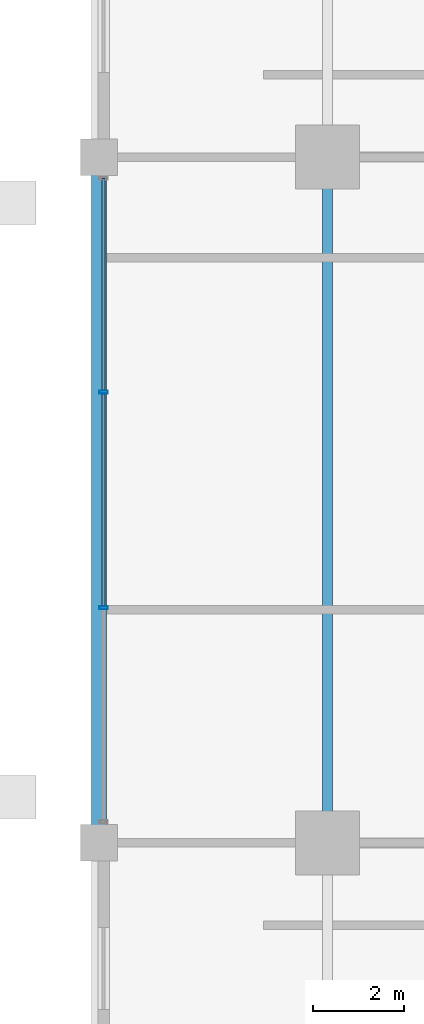
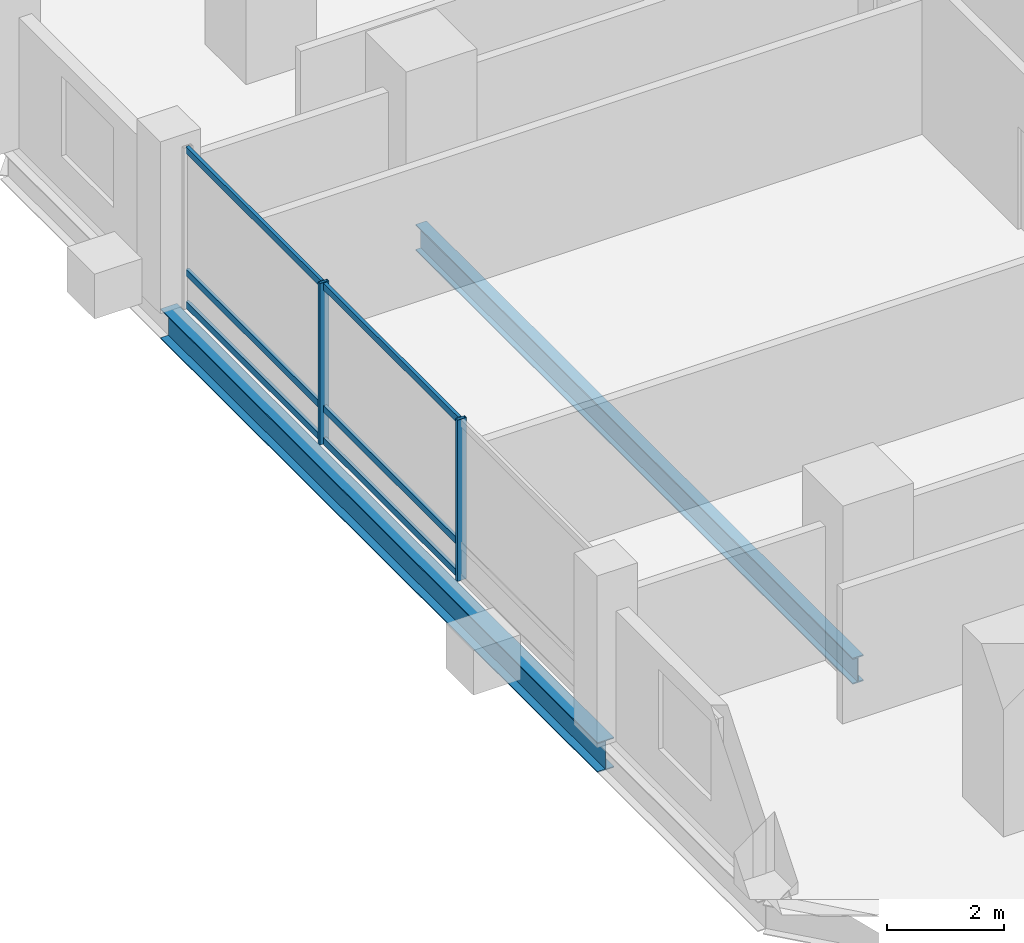
# One storey, part 6 of 21: 8 members, 2 beams, 1 element without a shape of its own.
"""IFC4 building model written with IfcOpenShell, lengths in metres."""

from ifc_helpers import new_model, si_unit, direction, frame, origin, origin_2d, place, context, subcontext, project, spatial, hollow_rectangle, i_section, extrude, material, layer, layer_set, material_profile, profile_set, type_object, element, aggregate, save


model = new_model("IFC4")

# Units and contexts
model_context = context("Model", 3, precision=1e-05, world=origin(), true_north=direction((0.0, 1.0)))
body_context = subcontext(model_context, "Body", "Model", "MODEL_VIEW")
ifc_project = project(units=[si_unit("LENGTHUNIT", "METRE"), si_unit("AREAUNIT", "SQUARE_METRE"), si_unit("VOLUMEUNIT", "CUBIC_METRE"), si_unit("PLANEANGLEUNIT", "RADIAN"), si_unit("MASSUNIT", "GRAM", prefix="KILO")], contexts=[model_context])

# Site, building, storey
site_placement = place(None, origin())
site = spatial("IfcSite", under=ifc_project, at=site_placement, CompositionType="ELEMENT")
building_placement = place(site_placement, origin())
building = spatial("IfcBuilding", under=site, at=building_placement, Name="Barlavira Tower and Art Museum", CompositionType="ELEMENT")
storey_placement = place(building_placement, frame((0.0, 0.0, 86.39990234375)))
storey = spatial("IfcBuildingStorey", under=building, at=storey_placement, Name="L21", CompositionType="ELEMENT", Elevation=86.39990234375)

# Curtain wall, members
ifc_material_1 = material(Name="Low-iron coastal laminated glass", Category="glass")
ifc_layer = layer(ifc_material_1, 0.179931640625, Name="Low-iron coastal laminated glass")
ifc_layer_set = layer_set([ifc_layer], Name="Low-iron coastal laminated glass")
curtain_wall_type = type_object("IfcCurtainWallType", Name="Pale-Metal Unitised Curtain Wall Zone 1", PredefinedType="NOTDEFINED", material=ifc_layer_set)
curtain_wall_placement = place(storey_placement, origin())
curtain_wall = element("IfcCurtainWall", 1, at=curtain_wall_placement, inside=storey, type_object=curtain_wall_type, Name="L21 Curtain Wall CW1-L21-W-B3", PredefinedType="NOTDEFINED")
ifc_material_2 = material(Name="Pale anodised aluminium", Category="aluminium")
ifc_material_profile_1 = material_profile(ifc_material_2, hollow_rectangle(XDim=0.06494140625, YDim=0.179931640625, WallThickness=0.00390625, at=origin_2d()), Name="ALU-MULL 65x180x4")
ifc_profile_set_1 = profile_set([ifc_material_profile_1], Name="Pale anodised aluminium")
member_type_1 = type_object("IfcMemberType", Name="Curtain Wall Pale-Metal Mullion 65x180", PredefinedType="MULLION", material=ifc_profile_set_1)
member_1_placement = place(storey_placement, frame((-21.89990234375, 2.360107421875, 0.0), z_axis=(0.0, 0.0, 1.0), x_axis=(0.0, -1.0, 0.0)))
member_1 = element("IfcMember", 2, at=member_1_placement, type_object=member_type_1, Name="CW1-L21-W-B3 Mullion 1", PredefinedType="MULLION", context=body_context, shape_type="SweptSolid", body=[
    extrude(hollow_rectangle(XDim=0.06494140625, YDim=0.179931640625, WallThickness=0.00390625, at=origin_2d()), origin(), (0.0, 0.0, 1.0), 3.380126953125),
])
member_2_placement = place(storey_placement, frame((-21.89990234375, -2.360107421875, 0.0), z_axis=(0.0, 0.0, 1.0), x_axis=(0.0, -1.0, 0.0)))
member_2 = element("IfcMember", 3, at=member_2_placement, type_object=member_type_1, Name="CW1-L21-W-B3 Mullion 2", PredefinedType="MULLION", context=body_context, shape_type="SweptSolid", body=[
    extrude(hollow_rectangle(XDim=0.06494140625, YDim=0.179931640625, WallThickness=0.00390625, at=origin_2d()), origin(), (0.0, 0.0, 1.0), 3.380126953125),
])
ifc_material_profile_2 = material_profile(ifc_material_2, hollow_rectangle(XDim=0.06494140625, YDim=0.139892578125, WallThickness=0.00390625, at=origin_2d()), Name="ALU-TRAN 65x140x4")
ifc_profile_set_2 = profile_set([ifc_material_profile_2], Name="Pale anodised aluminium")
member_type_2 = type_object("IfcMemberType", Name="Curtain Wall Pale-Metal Transom 65x140", PredefinedType="USERDEFINED", material=ifc_profile_set_2)
member_3_placement = place(storey_placement, frame((-21.89990234375, 7.034912109375, 0.070068359375), z_axis=(0.0, -1.0, 0.0), x_axis=(1.0, 0.0, 0.0)))
member_3 = element("IfcMember", 4, at=member_3_placement, type_object=member_type_2, Name="CW1-L21-W-B3 Transom 0.1", ObjectType="TRANSOM", PredefinedType="USERDEFINED", context=body_context, shape_type="SweptSolid", body=[
    extrude(hollow_rectangle(XDim=0.06494140625, YDim=0.139892578125, WallThickness=0.00390625, at=origin_2d()), origin(), (0.0, 0.0, 1.0), 4.6298828125),
])
member_4_placement = place(storey_placement, frame((-21.89990234375, 7.034912109375, 0.744140625), z_axis=(0.0, -1.0, 0.0), x_axis=(1.0, 0.0, 0.0)))
member_4 = element("IfcMember", 5, at=member_4_placement, type_object=member_type_2, Name="CW1-L21-W-B3 Transom 0.2", ObjectType="TRANSOM", PredefinedType="USERDEFINED", context=body_context, shape_type="SweptSolid", body=[
    extrude(hollow_rectangle(XDim=0.06494140625, YDim=0.139892578125, WallThickness=0.00390625, at=origin_2d()), origin(), (0.0, 0.0, 1.0), 4.6298828125),
])
member_5_placement = place(storey_placement, frame((-21.89990234375, 7.034912109375, 3.31005859375), z_axis=(0.0, -1.0, 0.0), x_axis=(1.0, 0.0, 0.0)))
member_5 = element("IfcMember", 6, at=member_5_placement, type_object=member_type_2, Name="CW1-L21-W-B3 Transom 0.3", ObjectType="TRANSOM", PredefinedType="USERDEFINED", context=body_context, shape_type="SweptSolid", body=[
    extrude(hollow_rectangle(XDim=0.06494140625, YDim=0.139892578125, WallThickness=0.00390625, at=origin_2d()), origin(), (0.0, 0.0, 1.0), 4.6298828125),
])
member_6_placement = place(storey_placement, frame((-21.89990234375, 2.31494140625, 0.070068359375), z_axis=(0.0, -1.0, 0.0), x_axis=(1.0, 0.0, 0.0)))
member_6 = element("IfcMember", 7, at=member_6_placement, type_object=member_type_2, Name="CW1-L21-W-B3 Transom 1.1", ObjectType="TRANSOM", PredefinedType="USERDEFINED", context=body_context, shape_type="SweptSolid", body=[
    extrude(hollow_rectangle(XDim=0.06494140625, YDim=0.139892578125, WallThickness=0.00390625, at=origin_2d()), origin(), (0.0, 0.0, 1.0), 4.6298828125),
])
member_7_placement = place(storey_placement, frame((-21.89990234375, 2.31494140625, 0.744140625), z_axis=(0.0, -1.0, 0.0), x_axis=(1.0, 0.0, 0.0)))
member_7 = element("IfcMember", 8, at=member_7_placement, type_object=member_type_2, Name="CW1-L21-W-B3 Transom 1.2", ObjectType="TRANSOM", PredefinedType="USERDEFINED", context=body_context, shape_type="SweptSolid", body=[
    extrude(hollow_rectangle(XDim=0.06494140625, YDim=0.139892578125, WallThickness=0.00390625, at=origin_2d()), origin(), (0.0, 0.0, 1.0), 4.6298828125),
])
member_8_placement = place(storey_placement, frame((-21.89990234375, 2.31494140625, 3.31005859375), z_axis=(0.0, -1.0, 0.0), x_axis=(1.0, 0.0, 0.0)))
member_8 = element("IfcMember", 9, at=member_8_placement, type_object=member_type_2, Name="CW1-L21-W-B3 Transom 1.3", ObjectType="TRANSOM", PredefinedType="USERDEFINED", context=body_context, shape_type="SweptSolid", body=[
    extrude(hollow_rectangle(XDim=0.06494140625, YDim=0.139892578125, WallThickness=0.00390625, at=origin_2d()), origin(), (0.0, 0.0, 1.0), 4.6298828125),
])
aggregate(curtain_wall, [member_1, member_2, member_3, member_4, member_5, member_6, member_7, member_8])

# Beams
ifc_material_3 = material(Name="Steel S355", Category="steel")
ifc_material_profile_3 = material_profile(ifc_material_3, i_section(OverallWidth=0.327880859375, OverallDepth=0.62890625, WebThickness=0.013916015625, FlangeThickness=0.021484375, at=origin_2d()), Name="W610x174.0")
ifc_profile_set_3 = profile_set([ifc_material_profile_3], Name="Steel S355")
beam_type_1 = type_object("IfcBeamType", Name="Perimeter Spandrel Edge Beam W610x174 Steel S355", PredefinedType="SPANDREL", material=ifc_profile_set_3)
beam_1_placement = place(storey_placement, frame((-22.0, -7.5, -0.534423828125), z_axis=(0.0, 1.0, 0.0), x_axis=(-1.0, 0.0, 0.0)))
element("IfcBeam", 10, at=beam_1_placement, inside=storey, type_object=beam_type_1, Name="L21 Spandrel 14", PredefinedType="SPANDREL", context=body_context, shape_type="SweptSolid", body=[
    extrude(i_section(OverallWidth=0.327880859375, OverallDepth=0.62890625, WebThickness=0.013916015625, FlangeThickness=0.021484375, at=origin_2d()), origin(), (0.0, 0.0, 1.0), 15.0),
])
ifc_material_profile_4 = material_profile(ifc_material_3, i_section(OverallWidth=0.214111328125, OverallDepth=0.549072265625, WebThickness=0.0146484375, FlangeThickness=0.023681640625, at=origin_2d()), Name="W530x138.0")
ifc_profile_set_4 = profile_set([ifc_material_profile_4], Name="Steel S355")
beam_type_2 = type_object("IfcBeamType", Name="Zone 1 Primary Floor Girder W530x138 Steel S355", PredefinedType="BEAM", material=ifc_profile_set_4)
beam_2_placement = place(storey_placement, frame((-17.0, -7.5, -0.494384765625), z_axis=(0.0, 1.0, 0.0), x_axis=(-1.0, 0.0, 0.0)))
element("IfcBeam", 11, at=beam_2_placement, inside=storey, type_object=beam_type_2, Name="L21 Girder M-W2", PredefinedType="BEAM", context=body_context, shape_type="SweptSolid", body=[
    extrude(i_section(OverallWidth=0.214111328125, OverallDepth=0.549072265625, WebThickness=0.0146484375, FlangeThickness=0.023681640625, at=origin_2d()), origin(), (0.0, 0.0, 1.0), 15.0),
])

save(model, "model.ifc")
